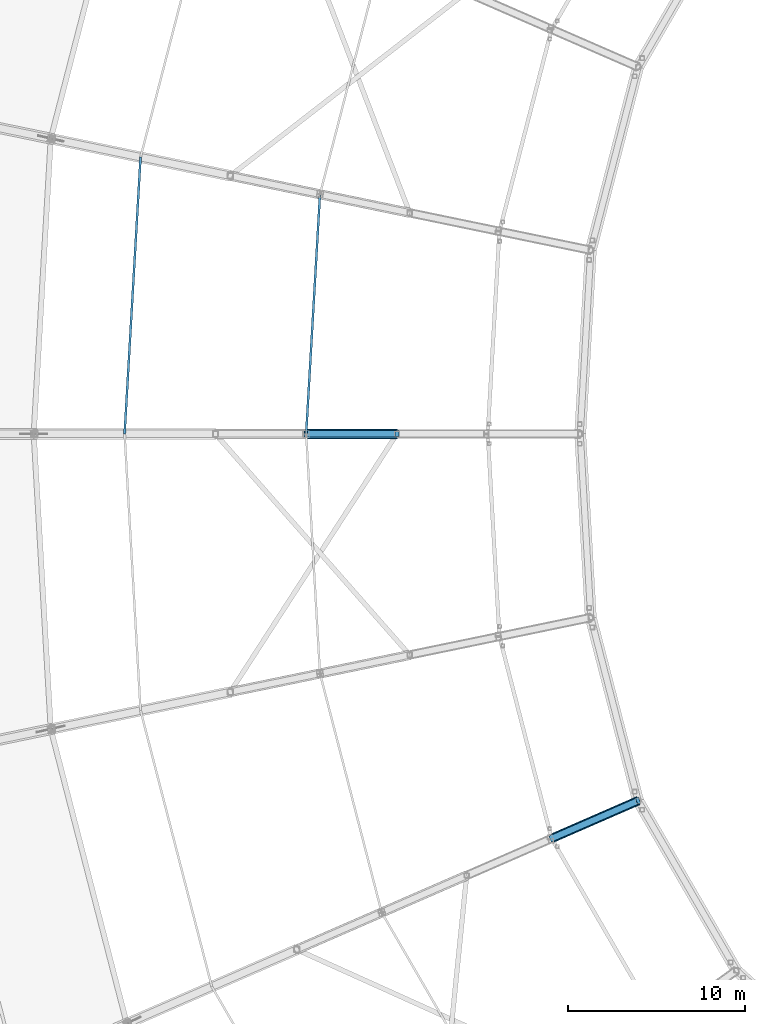
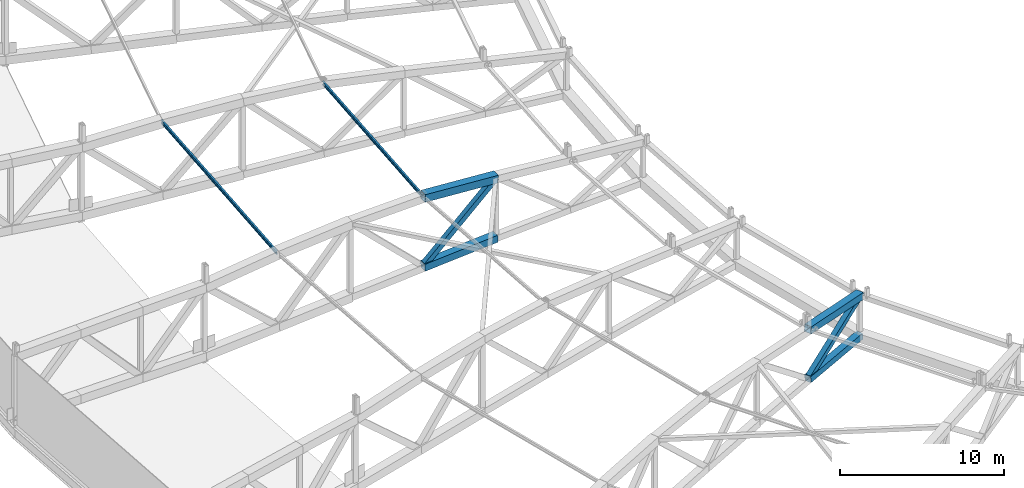
# One storey, part 39 of 162: 8 members.
"""IFC4 building model written with IfcOpenShell, lengths in metres."""

from ifc_helpers import new_model, si_unit, direction, frame, origin, origin_2d, place, context, subcontext, project, spatial, hollow_rectangle, i_section, extrude, material, material_profile, profile_set, type_object, element, save


model = new_model("IFC4")

# Units and contexts
model_context = context("Model", 3, precision=1e-05, world=origin(), true_north=direction((0.0, 1.0)))
body_context = subcontext(model_context, "Body", "Model", "MODEL_VIEW")
ifc_project = project(units=[si_unit("LENGTHUNIT", "METRE"), si_unit("AREAUNIT", "SQUARE_METRE"), si_unit("VOLUMEUNIT", "CUBIC_METRE"), si_unit("PLANEANGLEUNIT", "RADIAN"), si_unit("MASSUNIT", "GRAM", prefix="KILO")], contexts=[model_context])

# Site, building, storey
site_placement = place(None, origin())
site = spatial("IfcSite", under=ifc_project, at=site_placement, CompositionType="ELEMENT")
building_placement = place(site_placement, origin())
building = spatial("IfcBuilding", under=site, at=building_placement, Name="Kazemori Nagisa Stadium", CompositionType="ELEMENT")
storey_placement = place(building_placement, frame((0.0, 0.0, 36.719970703125)))
storey = spatial("IfcBuildingStorey", under=building, at=storey_placement, Name="RF", CompositionType="ELEMENT", Elevation=36.719970703125)

# Members
ifc_material_1 = material(Name="Steel STKR490", Category="steel")
ifc_material_profile_1 = material_profile(ifc_material_1, hollow_rectangle(XDim=0.360107421875, YDim=0.360107421875, WallThickness=0.013916015625, at=origin_2d()), Name="SHS-360x360x14")
ifc_profile_set_1 = profile_set([ifc_material_profile_1], Name="Steel STKR490")
member_type_1 = type_object("IfcMemberType", Name="Member_TB-SHS360", PredefinedType="BRACE", material=ifc_profile_set_1)
member_1_placement = place(storey_placement, frame((56.68994140625, 102.0, 1.659912109375), z_axis=(0.728787230714, 0.0, 0.684740222528), x_axis=(0.0, 1.0, 0.0)))
element("IfcMember", 1, at=member_1_placement, inside=storey, type_object=member_type_1, Name="Roof space truss diagonal RT-15-7", PredefinedType="BRACE", context=body_context, shape_type="SweptSolid", body=[
    extrude(hollow_rectangle(XDim=0.360107421875, YDim=0.360107421875, WallThickness=0.013916015625, at=origin_2d()), origin(), (0.0, 0.0, 1.0), 7.039306640625),
])
member_2_placement = place(storey_placement, frame((70.557861328125, 79.1376953125, 2.282958984375), z_axis=(0.783551290273, 0.341610205957, 0.518989251043), x_axis=(-0.399646575695, 0.916669304894, 0.0)))
element("IfcMember", 2, at=member_2_placement, inside=storey, type_object=member_type_1, Name="Roof space truss diagonal RT-17-9", PredefinedType="BRACE", context=body_context, shape_type="SweptSolid", body=[
    extrude(hollow_rectangle(XDim=0.360107421875, YDim=0.360107421875, WallThickness=0.013916015625, at=origin_2d()), origin(), (0.0, 0.0, 1.0), 6.239013671875),
])
ifc_material_profile_2 = material_profile(ifc_material_1, hollow_rectangle(XDim=0.4599609375, YDim=0.4599609375, WallThickness=0.01611328125, at=origin_2d()), Name="SHS-460x460x16")
ifc_profile_set_2 = profile_set([ifc_material_profile_2], Name="Steel STKR490")
member_type_2 = type_object("IfcMemberType", Name="Member_TC-SHS460", PredefinedType="CHORD", material=ifc_profile_set_2)
member_3_placement = place(storey_placement, frame((70.557861328125, 79.1376953125, 2.282958984375), z_axis=(0.915717936839, 0.399231801269, 0.04554809554), x_axis=(-0.399646575695, 0.916669304894, 0.0)))
element("IfcMember", 3, at=member_3_placement, inside=storey, type_object=member_type_2, Name="Roof space truss bottom chord RT-17-9", PredefinedType="CHORD", context=body_context, shape_type="SweptSolid", body=[
    extrude(hollow_rectangle(XDim=0.4599609375, YDim=0.4599609375, WallThickness=0.01611328125, at=origin_2d()), origin(), (0.0, 0.0, 1.0), 5.338623046875),
])
ifc_material_profile_3 = material_profile(ifc_material_1, hollow_rectangle(XDim=0.52001953125, YDim=0.52001953125, WallThickness=0.01904296875, at=origin_2d()), Name="SHS-520x520x19")
ifc_profile_set_3 = profile_set([ifc_material_profile_3], Name="Steel STKR490")
member_type_3 = type_object("IfcMemberType", Name="Member_TC-SHS520", PredefinedType="CHORD", material=ifc_profile_set_3)
member_4_placement = place(storey_placement, frame((56.68994140625, 102.0, 1.659912109375), z_axis=(0.997266070778, 0.0, 0.07389441166), x_axis=(0.0, 1.0, 0.0)))
element("IfcMember", 4, at=member_4_placement, inside=storey, type_object=member_type_3, Name="Roof space truss bottom chord RT-15-7", PredefinedType="CHORD", context=body_context, shape_type="SweptSolid", body=[
    extrude(hollow_rectangle(XDim=0.52001953125, YDim=0.52001953125, WallThickness=0.01904296875, at=origin_2d()), origin(), (0.0, 0.0, 1.0), 5.144287109375),
])
member_5_placement = place(storey_placement, frame((70.557861328125, 79.1376953125, 5.966064453125), z_axis=(0.913493758771, 0.39826211117, -0.083165157922), x_axis=(-0.399646575695, 0.916669304894, 0.0)))
element("IfcMember", 5, at=member_5_placement, inside=storey, type_object=member_type_3, Name="Roof space truss top chord RT-17-9", PredefinedType="CHORD", context=body_context, shape_type="SweptSolid", body=[
    extrude(hollow_rectangle(XDim=0.52001953125, YDim=0.52001953125, WallThickness=0.01904296875, at=origin_2d()), origin(), (0.0, 0.0, 1.0), 5.3515625),
])
ifc_material_profile_4 = material_profile(ifc_material_1, hollow_rectangle(XDim=0.56005859375, YDim=0.56005859375, WallThickness=0.02001953125, at=origin_2d()), Name="SHS-560x560x20")
ifc_profile_set_4 = profile_set([ifc_material_profile_4], Name="Steel STKR490")
member_type_4 = type_object("IfcMemberType", Name="Member_TC-SHS560", PredefinedType="CHORD", material=ifc_profile_set_4)
member_6_placement = place(storey_placement, frame((56.68994140625, 102.0, 6.830078125), z_axis=(0.997679516543, 0.0, -0.06808511049), x_axis=(0.0, 1.0, 0.0)))
element("IfcMember", 6, at=member_6_placement, inside=storey, type_object=member_type_4, Name="Roof space truss top chord RT-15-7", PredefinedType="CHORD", context=body_context, shape_type="SweptSolid", body=[
    extrude(hollow_rectangle(XDim=0.56005859375, YDim=0.56005859375, WallThickness=0.02001953125, at=origin_2d()), origin(), (0.0, 0.0, 1.0), 5.14208984375),
])
ifc_material_2 = material(Name="Steel SN490B", Category="steel")
ifc_material_profile_5 = material_profile(ifc_material_2, i_section(OverallWidth=0.125, OverallDepth=0.25, WebThickness=0.006103515625, FlangeThickness=0.009033203125, FilletRadius=0.008056640625, at=origin_2d()), Name="H-250x125x6x9")
ifc_profile_set_5 = profile_set([ifc_material_profile_5], Name="Steel SN490B")
member_type_5 = type_object("IfcMemberType", Name="Member_TP-H250", PredefinedType="PURLIN", material=ifc_profile_set_5)
member_7_placement = place(storey_placement, frame((47.33203125, 117.634521484375, 6.221923828125), z_axis=(-0.057603399978, -0.998339413049, 0.000514455264), x_axis=(0.998339545161, -0.057603407601, 0.0)))
element("IfcMember", 7, at=member_7_placement, inside=storey, type_object=member_type_5, Name="Roof purlin TP-H250 B14-P4", PredefinedType="PURLIN", context=body_context, shape_type="SweptSolid", body=[
    extrude(i_section(OverallWidth=0.125, OverallDepth=0.25, WebThickness=0.006103515625, FlangeThickness=0.009033203125, FilletRadius=0.008056640625, at=origin_2d()), origin(), (0.0, 0.0, 1.0), 15.66064453125),
])
member_8_placement = place(storey_placement, frame((57.47119140625, 115.53955078125, 6.81201171875), z_axis=(-0.057605454983, -0.998338538271, 0.001332126146), x_axis=(0.998339424078, -0.057605506096, 0.0)))
element("IfcMember", 8, at=member_8_placement, inside=storey, type_object=member_type_5, Name="Roof purlin TP-H250 B14-P6", PredefinedType="PURLIN", context=body_context, shape_type="SweptSolid", body=[
    extrude(i_section(OverallWidth=0.125, OverallDepth=0.25, WebThickness=0.006103515625, FlangeThickness=0.009033203125, FilletRadius=0.008056640625, at=origin_2d()), origin(), (0.0, 0.0, 1.0), 13.56201171875),
])

save(model, "model.ifc")
